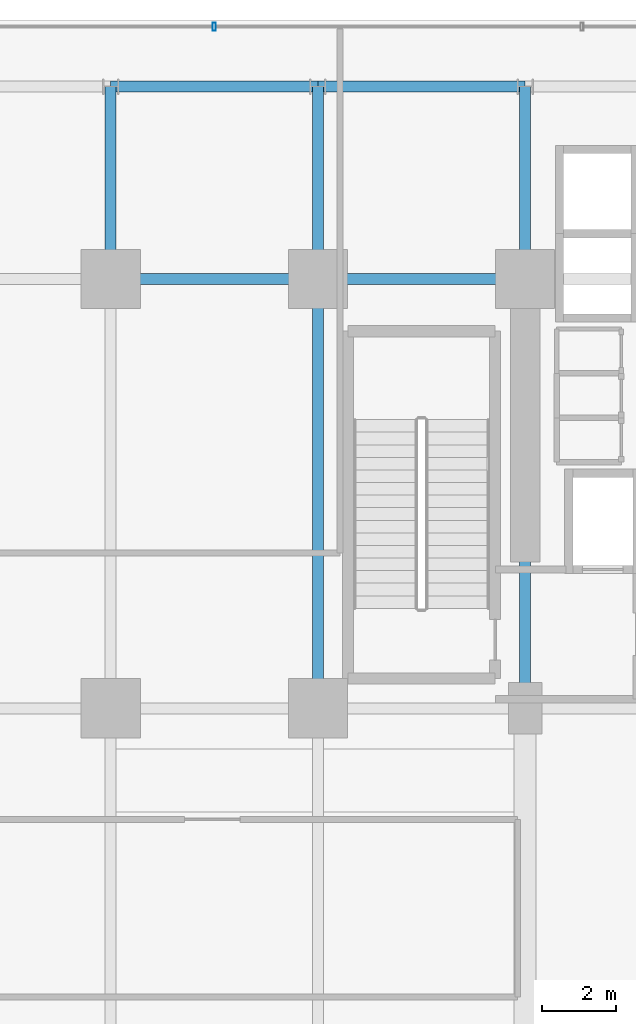
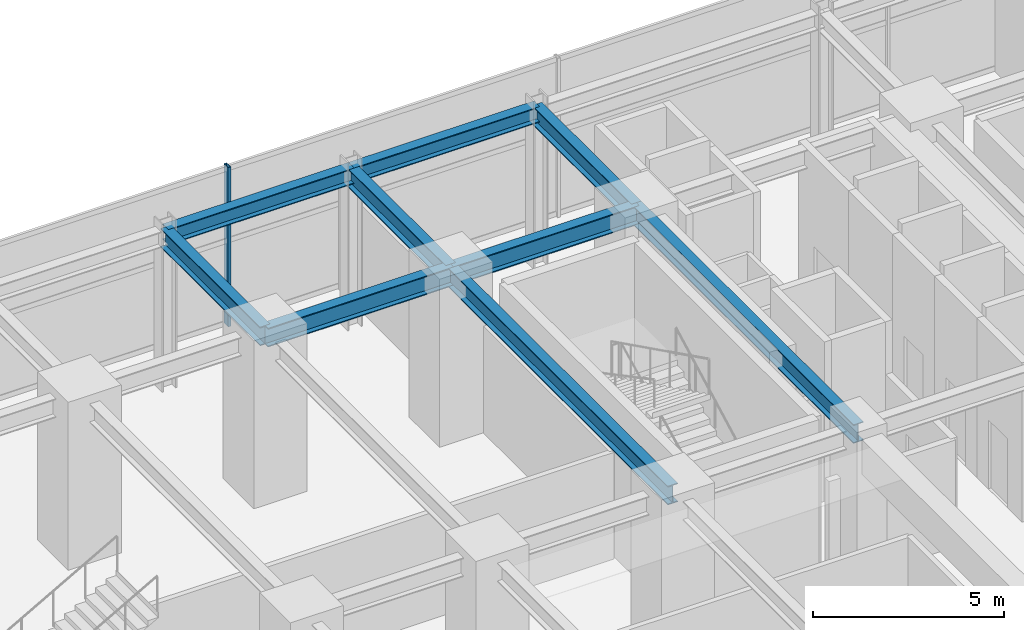
# One storey, part 17 of 34: 9 beams, 1 member, 1 element without a shape of its own.
"""IFC4 building model written with IfcOpenShell, lengths in metres."""

from ifc_helpers import new_model, si_unit, direction, frame, origin, origin_2d, place, context, subcontext, project, spatial, hollow_rectangle, i_section, extrude, source, transform, mapped, material, material_profile, profile_set, type_object, element, aggregate, save


model = new_model("IFC4")

# Units and contexts
model_context = context("Model", 3, precision=1e-05, world=origin(), true_north=direction((0.0, 1.0)))
body_context = subcontext(model_context, "Body", "Model", "MODEL_VIEW")
ifc_project = project(units=[si_unit("LENGTHUNIT", "METRE"), si_unit("AREAUNIT", "SQUARE_METRE"), si_unit("VOLUMEUNIT", "CUBIC_METRE"), si_unit("PLANEANGLEUNIT", "RADIAN"), si_unit("MASSUNIT", "GRAM", prefix="KILO")], contexts=[model_context])

# Site, building, storey
site_placement = place(None, origin())
site = spatial("IfcSite", under=ifc_project, at=site_placement, CompositionType="ELEMENT")
building_placement = place(site_placement, origin())
building = spatial("IfcBuilding", under=site, at=building_placement, Name="Nahalor Promenade Grand Hotel", CompositionType="ELEMENT")
storey_placement = place(building_placement, frame((0.0, 0.0, 16.199951171875)))
storey = spatial("IfcBuildingStorey", under=building, at=storey_placement, Name="L03", CompositionType="ELEMENT", Elevation=16.199951171875)

# Beams
ifc_material_1 = material(Name="Steel S355JR", Category="steel")
ifc_material_profile_1 = material_profile(ifc_material_1, i_section(OverallWidth=0.3, OverallDepth=0.6, WebThickness=0.0155, FlangeThickness=0.03, at=origin_2d()), Name="HEB 600")
ifc_profile_set_1 = profile_set([ifc_material_profile_1], Name="Steel S355JR")
beam_type_1 = type_object("IfcBeamType", Name="Beam-Girder-HEB600", PredefinedType="BEAM", material=ifc_profile_set_1)
shared_shape_1 = source(origin(), body_context, "Body", "SweptSolid", [
    extrude(i_section(OverallWidth=0.3, OverallDepth=0.6, WebThickness=0.0155, FlangeThickness=0.03, at=origin_2d()), origin(), (0.0, 0.0, 1.0), 5.599853515625),
])
beam_1_placement = place(storey_placement, frame((2.800048828125, 17.0, 4.780029296875), z_axis=(1.0, 0.0, 0.0), x_axis=(0.0, 1.0, 0.0)))
element("IfcBeam", 1, at=beam_1_placement, inside=storey, type_object=beam_type_1, Name="BM-L03-GX-3-5", PredefinedType="BEAM", context=body_context, shape_type="MappedRepresentation", body=[
    mapped(shared_shape_1, transform((0.0, 0.0, 0.0), scale=1.0)),
])
shared_shape_2 = source(origin(), body_context, "Body", "SweptSolid", [
    extrude(i_section(OverallWidth=0.3, OverallDepth=0.6, WebThickness=0.0155, FlangeThickness=0.03, at=origin_2d()), origin(), (0.0, 0.0, 1.0), 5.60009765625),
])
beam_2_placement = place(storey_placement, frame((-2.800048828125, 17.0, 4.780029296875), z_axis=(1.0, 0.0, 0.0), x_axis=(0.0, 1.0, 0.0)))
element("IfcBeam", 2, at=beam_2_placement, inside=storey, type_object=beam_type_1, Name="BM-L03-GX-3-4", PredefinedType="BEAM", context=body_context, shape_type="MappedRepresentation", body=[
    mapped(shared_shape_2, transform((0.0, 0.0, 0.0), scale=1.0)),
])
shared_shape_3 = source(origin(), body_context, "Body", "SweptSolid", [
    extrude(i_section(OverallWidth=0.3, OverallDepth=0.6, WebThickness=0.0155, FlangeThickness=0.03, at=origin_2d()), origin(), (0.0, 0.0, 1.0), 5.199951171875),
])
for number, where, z_axis, x_axis, name in (
    (3, (-2.800048828125, 17.0, 4.780029296875), (0.0, 1.0, 0.0), (-1.0, 0.0, 0.0), "BM-L03-GY-2-4"),
    (4, (2.800048828125, 17.0, 4.780029296875), (0.0, 1.0, 0.0), (-1.0, 0.0, 0.0), "BM-L03-GY-3-4"),
    (5, (8.39990234375, 17.0, 4.780029296875), (0.0, 1.0, 0.0), (-1.0, 0.0, 0.0), "BM-L03-GY-4-4"),
):
    element("IfcBeam", number, at=place(storey_placement, frame(where, z_axis=z_axis, x_axis=x_axis)), inside=storey, type_object=beam_type_1, Name=name, PredefinedType="BEAM", context=body_context, shape_type="MappedRepresentation", body=[
        mapped(shared_shape_3, transform((0.0, 0.0, 0.0), scale=1.0)),
    ])
shared_shape_4 = source(origin(), body_context, "Body", "SweptSolid", [
    extrude(i_section(OverallWidth=0.3, OverallDepth=0.6, WebThickness=0.0155, FlangeThickness=0.03, at=origin_2d()), origin(), (0.0, 0.0, 1.0), 11.60009765625),
])
for number, where, z_axis, x_axis, name in (
    (6, (2.800048828125, 5.39990234375, 4.780029296875), (0.0, 1.0, 0.0), (-1.0, 0.0, 0.0), "BM-L03-GY-3-3"),
    (7, (8.39990234375, 5.39990234375, 4.780029296875), (0.0, 1.0, 0.0), (-1.0, 0.0, 0.0), "BM-L03-GY-4-3"),
):
    element("IfcBeam", number, at=place(storey_placement, frame(where, z_axis=z_axis, x_axis=x_axis)), inside=storey, type_object=beam_type_1, Name=name, PredefinedType="BEAM", context=body_context, shape_type="MappedRepresentation", body=[
        mapped(shared_shape_4, transform((0.0, 0.0, 0.0), scale=1.0)),
    ])
ifc_material_profile_2 = material_profile(ifc_material_1, i_section(OverallWidth=0.3, OverallDepth=0.5, WebThickness=0.0145, FlangeThickness=0.028, at=origin_2d()), Name="HEB 500")
ifc_profile_set_2 = profile_set([ifc_material_profile_2], Name="Steel S355JR")
beam_type_2 = type_object("IfcBeamType", Name="Beam-Spandrel-HEB500", PredefinedType="SPANDREL", material=ifc_profile_set_2)
shared_shape_5 = source(origin(), body_context, "Body", "SweptSolid", [
    extrude(i_section(OverallWidth=0.3, OverallDepth=0.5, WebThickness=0.0145, FlangeThickness=0.028, at=origin_2d()), origin(), (0.0, 0.0, 1.0), 5.599853515625),
])
beam_3_placement = place(storey_placement, frame((2.800048828125, 22.199951171875, 4.830078125), z_axis=(1.0, 0.0, 0.0), x_axis=(0.0, 1.0, 0.0)))
element("IfcBeam", 8, at=beam_3_placement, inside=storey, type_object=beam_type_2, Name="BM-L03-SP-N-3", PredefinedType="SPANDREL", context=body_context, shape_type="MappedRepresentation", body=[
    mapped(shared_shape_5, transform((0.0, 0.0, 0.0), scale=1.0)),
])
shared_shape_6 = source(origin(), body_context, "Body", "SweptSolid", [
    extrude(i_section(OverallWidth=0.3, OverallDepth=0.5, WebThickness=0.0145, FlangeThickness=0.028, at=origin_2d()), origin(), (0.0, 0.0, 1.0), 5.60009765625),
])
beam_4_placement = place(storey_placement, frame((-2.800048828125, 22.199951171875, 4.830078125), z_axis=(1.0, 0.0, 0.0), x_axis=(0.0, 1.0, 0.0)))
element("IfcBeam", 9, at=beam_4_placement, inside=storey, type_object=beam_type_2, Name="BM-L03-SP-N-2", PredefinedType="SPANDREL", context=body_context, shape_type="MappedRepresentation", body=[
    mapped(shared_shape_6, transform((0.0, 0.0, 0.0), scale=1.0)),
])

# Curtain wall, member
ifc_material_2 = material(Name="Anodised Bronze Aluminium EN AW-6063 T6", Category="aluminium")
curtain_wall_type = type_object("IfcCurtainWallType", Name="CW1 Waterfront Podium Bronze Arcade Curtain Wall", PredefinedType="USERDEFINED", material=ifc_material_2)
curtain_wall_placement = place(storey_placement, origin())
curtain_wall = element("IfcCurtainWall", 10, at=curtain_wall_placement, inside=storey, type_object=curtain_wall_type, Name="L03 Curtain Wall CW-L03-N", ObjectType="UNITISED_CURTAIN_WALL", PredefinedType="USERDEFINED")
ifc_material_profile_3 = material_profile(ifc_material_2, hollow_rectangle(XDim=0.08, YDim=0.22, WallThickness=0.005, at=origin_2d()), Name="CWM 80x220x5")
ifc_profile_set_3 = profile_set([ifc_material_profile_3], Name="Anodised Bronze Aluminium EN AW-6063 T6")
member_type = type_object("IfcMemberType", Name="CWM1 Podium Bronze Mullion 80x220", PredefinedType="MULLION", material=ifc_profile_set_3)
shared_shape_7 = source(origin(), body_context, "Body", "SweptSolid", [
    extrude(hollow_rectangle(XDim=0.08, YDim=0.22, WallThickness=0.005, at=origin_2d()), origin(), (0.0, 0.0, 1.0), 5.080078125),
])
member_placement = place(storey_placement, frame((0.0, 23.820068359375, 0.0), z_axis=(0.0, 0.0, 1.0), x_axis=(1.0, 0.0, 0.0)))
member = element("IfcMember", 11, at=member_placement, type_object=member_type, Name="CW-L03-N Mullion 3", PredefinedType="MULLION", context=body_context, shape_type="MappedRepresentation", body=[
    mapped(shared_shape_7, transform((0.0, 0.0, 0.0), scale=1.0)),
])
aggregate(curtain_wall, [member])

save(model, "model.ifc")
